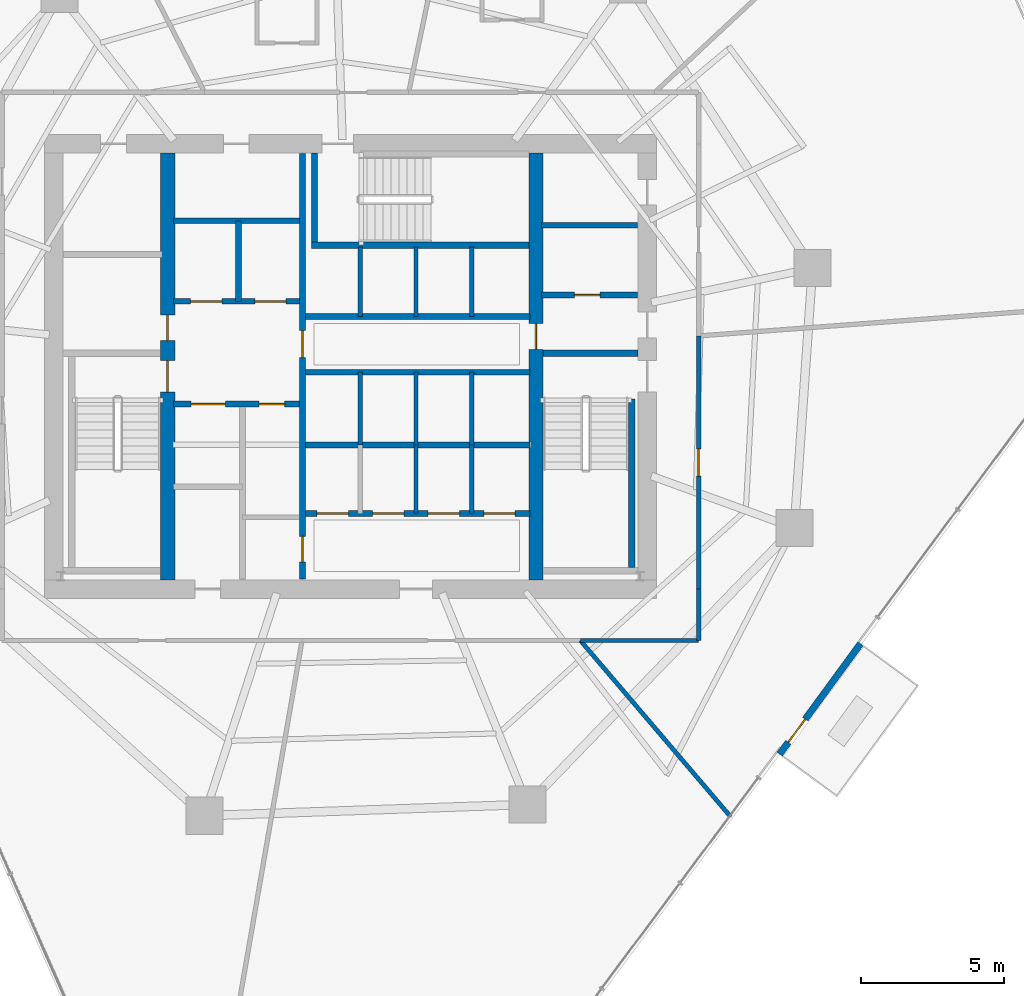
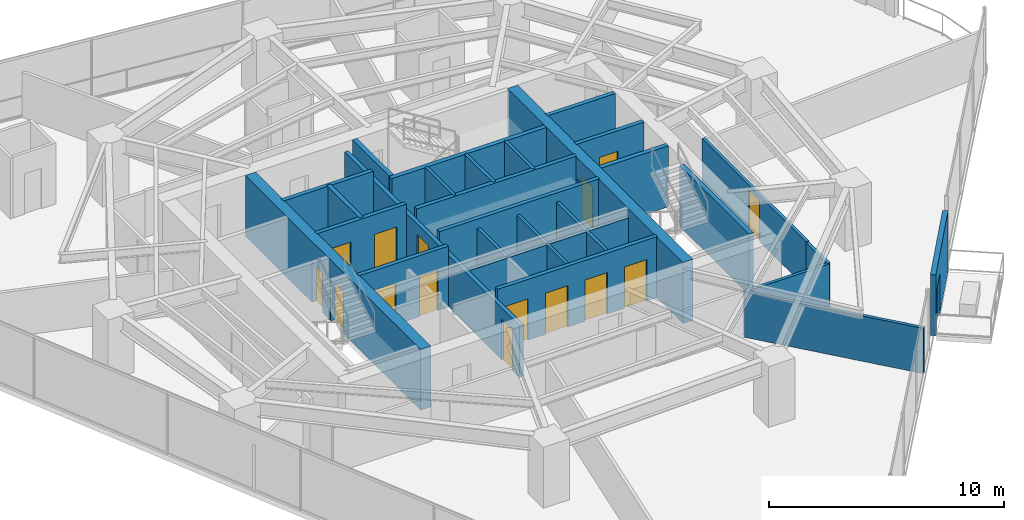
# One storey, part 24 of 28: 30 walls, 16 doors, 16 openings.
"""IFC4 building model written with IfcOpenShell, lengths in metres."""

from ifc_helpers import new_model, si_unit, direction, frame, frame_2d, origin, place, context, subcontext, project, spatial, rectangle, extrude, material, layer, layer_set, type_object, element, fill, save


model = new_model("IFC4")

# Units and contexts
model_context = context("Model", 3, precision=1e-05, world=origin(), true_north=direction((0.0, 1.0)))
body_context = subcontext(model_context, "Body", "Model", "MODEL_VIEW")
ifc_project = project(units=[si_unit("LENGTHUNIT", "METRE"), si_unit("AREAUNIT", "SQUARE_METRE"), si_unit("VOLUMEUNIT", "CUBIC_METRE"), si_unit("PLANEANGLEUNIT", "RADIAN"), si_unit("MASSUNIT", "GRAM", prefix="KILO")], contexts=[model_context])

# Site, building, storey
site_placement = place(None, origin())
site = spatial("IfcSite", under=ifc_project, at=site_placement, CompositionType="ELEMENT")
building_placement = place(site_placement, origin())
building = spatial("IfcBuilding", under=site, at=building_placement, Name="Qarnah Convention Tower", CompositionType="ELEMENT")
storey_placement = place(building_placement, frame((0.0, 0.0, 44.25)))
storey = spatial("IfcBuildingStorey", under=building, at=storey_placement, Name="L10", CompositionType="ELEMENT", Elevation=44.25)

# Wall, openings, doors
ifc_material_1 = material(Name="Concrete C60/75", Category="concrete")
ifc_layer_1 = layer(ifc_material_1, 0.5)
ifc_layer_set_1 = layer_set([ifc_layer_1], Name="Concrete C60/75")
wall_type_1 = type_object("IfcWallType", Name="WL-CORE-INT-400", PredefinedType="SHEAR", material=ifc_layer_set_1)
wall_1_placement = place(storey_placement, frame((30.800048828125, 18.925048828125, 0.0), z_axis=(0.0, 0.0, 1.0), x_axis=(0.0, 1.0, 0.0)))
wall_1 = element("IfcWall", 1, at=wall_1_placement, inside=storey, type_object=wall_type_1, Name="L10 core west spine shear wall", PredefinedType="SHEAR", context=body_context, shape_type="SweptSolid", body=[
    extrude(rectangle(XDim=14.949951171875, YDim=0.5, at=frame_2d((7.47509765625, 0.0))), origin(), (0.0, 0.0, 1.0), 3.169921875),
])
opening_1_placement = place(wall_1_placement, frame((6.574951171875, 0.0, 0.0)))
opening_1 = element("IfcOpeningElement", 2, at=opening_1_placement, cuts=wall_1, Name="Opening D-1001", PredefinedType="OPENING", context=body_context, shape_type="SweptSolid", body=[
    extrude(rectangle(XDim=1.10009765625, YDim=2.14990234375, at=frame_2d((0.550048828125, 1.074951171875))), frame((0.0, 0.260009765625, 0.0), z_axis=(0.0, -1.0, 0.0), x_axis=(1.0, 0.0, 0.0)), (0.0, 0.0, 1.0), 0.52001953125),
])
opening_2_placement = place(wall_1_placement, frame((8.375, 0.0, 0.0)))
opening_2 = element("IfcOpeningElement", 3, at=opening_2_placement, cuts=wall_1, Name="Opening D-1008", PredefinedType="OPENING", context=body_context, shape_type="SweptSolid", body=[
    extrude(rectangle(XDim=0.89990234375, YDim=2.10009765625, at=frame_2d((0.449951171875, 1.050048828125))), frame((0.0, 0.260009765625, 0.0), z_axis=(0.0, -1.0, 0.0), x_axis=(1.0, 0.0, 0.0)), (0.0, 0.0, 1.0), 0.52001953125),
])
ifc_material_2 = material(Name="Structural steel S355JR", Category="steel")
door_type_1 = type_object("IfcDoorType", Name="DT-RISER-900", OperationType="NOTDEFINED", PredefinedType="DOOR", material=ifc_material_2)
door_1_placement = place(opening_2_placement, origin())
door_1 = element("IfcDoor", 4, at=door_1_placement, inside=storey, type_object=door_type_1, Name="Door D-1008", OperationType="SINGLE_SWING_RIGHT", OverallHeight=2.10009765625, OverallWidth=0.89990234375, PredefinedType="DOOR", context=body_context, shape_type="SweptSolid", body=[
    extrude(rectangle(XDim=0.89990234375, YDim=2.10009765625, at=frame_2d((0.449951171875, 1.050048828125))), frame((0.0, 0.02490234375, 0.0), z_axis=(0.0, -1.0, 0.0), x_axis=(1.0, 0.0, 0.0)), (0.0, 0.0, 1.0), 0.050048828125),
])
fill(opening_2, door_1)
door_type_2 = type_object("IfcDoorType", Name="DT-STAIR-1100", OperationType="NOTDEFINED", PredefinedType="DOOR", material=ifc_material_2)
door_2_placement = place(opening_1_placement, origin())
door_2 = element("IfcDoor", 5, at=door_2_placement, inside=storey, type_object=door_type_2, Name="Door D-1001", OperationType="SINGLE_SWING_LEFT", OverallHeight=2.14990234375, OverallWidth=1.10009765625, PredefinedType="DOOR", context=body_context, shape_type="SweptSolid", body=[
    extrude(rectangle(XDim=1.10009765625, YDim=2.14990234375, at=frame_2d((0.550048828125, 1.074951171875))), frame((0.0, 0.02490234375, 0.0), z_axis=(0.0, -1.0, 0.0), x_axis=(1.0, 0.0, 0.0)), (0.0, 0.0, 1.0), 0.050048828125),
])
fill(opening_1, door_2)

# Wall, opening, door
wall_2_placement = place(storey_placement, frame((43.699951171875, 18.925048828125, 0.0), z_axis=(0.0, 0.0, 1.0), x_axis=(0.0, 1.0, 0.0)))
wall_2 = element("IfcWall", 6, at=wall_2_placement, inside=storey, type_object=wall_type_1, Name="L10 core east spine shear wall", PredefinedType="SHEAR", context=body_context, shape_type="SweptSolid", body=[
    extrude(rectangle(XDim=14.949951171875, YDim=0.5, at=frame_2d((7.47509765625, 0.0))), origin(), (0.0, 0.0, 1.0), 3.169921875),
])
opening_3_placement = place(wall_2_placement, frame((8.074951171875, 0.0, 0.0)))
opening_3 = element("IfcOpeningElement", 7, at=opening_3_placement, cuts=wall_2, Name="Opening D-1005", PredefinedType="OPENING", context=body_context, shape_type="SweptSolid", body=[
    extrude(rectangle(XDim=0.89990234375, YDim=2.10009765625, at=frame_2d((0.449951171875, 1.050048828125))), frame((0.0, 0.260009765625, 0.0), z_axis=(0.0, -1.0, 0.0), x_axis=(1.0, 0.0, 0.0)), (0.0, 0.0, 1.0), 0.52001953125),
])
door_3_placement = place(opening_3_placement, origin())
door_3 = element("IfcDoor", 8, at=door_3_placement, inside=storey, type_object=door_type_1, Name="Door D-1005", OperationType="SINGLE_SWING_LEFT", OverallHeight=2.10009765625, OverallWidth=0.89990234375, PredefinedType="DOOR", context=body_context, shape_type="SweptSolid", body=[
    extrude(rectangle(XDim=0.89990234375, YDim=2.10009765625, at=frame_2d((0.449951171875, 1.050048828125))), frame((0.0, 0.02490234375, 0.0), z_axis=(0.0, -1.0, 0.0), x_axis=(1.0, 0.0, 0.0)), (0.0, 0.0, 1.0), 0.050048828125),
])
fill(opening_3, door_3)

ifc_material_3 = material(Name="Concrete C45/55", Category="concrete")
ifc_layer_2 = layer(ifc_material_3, 0.199951171875)
ifc_layer_set_2 = layer_set([ifc_layer_2], Name="Concrete C45/55")
wall_type_2 = type_object("IfcWallType", Name="WL-CORE-PART-200", PredefinedType="SOLIDWALL", material=ifc_layer_set_2)
wall_3_placement = place(storey_placement, frame((43.89990234375, 28.89990234375, 0.0), z_axis=(0.0, 0.0, 1.0), x_axis=(1.0, 0.0, 0.0)))
wall_3 = element("IfcWall", 9, at=wall_3_placement, inside=storey, type_object=wall_type_2, Name="L10 interior wall IW-L10-EVSTN", PredefinedType="SOLIDWALL", context=body_context, shape_type="SweptSolid", body=[
    extrude(rectangle(XDim=3.35009765625, YDim=0.199951171875, at=frame_2d((1.675048828125, 0.0))), origin(), (0.0, 0.0, 1.0), 3.169921875),
])
opening_4_placement = place(wall_3_placement, frame((1.14990234375, 0.0, 0.0)))
opening_4 = element("IfcOpeningElement", 10, at=opening_4_placement, cuts=wall_3, Name="Opening D-1011", PredefinedType="OPENING", context=body_context, shape_type="SweptSolid", body=[
    extrude(rectangle(XDim=0.89990234375, YDim=2.10009765625, at=frame_2d((0.449951171875, 1.050048828125))), frame((0.0, 0.10986328125, 0.0), z_axis=(0.0, -1.0, 0.0), x_axis=(1.0, 0.0, 0.0)), (0.0, 0.0, 1.0), 0.219970703125),
])
door_4_placement = place(opening_4_placement, origin())
door_4 = element("IfcDoor", 11, at=door_4_placement, inside=storey, type_object=door_type_1, Name="Door D-1011", OperationType="SINGLE_SWING_LEFT", OverallHeight=2.10009765625, OverallWidth=0.89990234375, PredefinedType="DOOR", context=body_context, shape_type="SweptSolid", body=[
    extrude(rectangle(XDim=0.89990234375, YDim=2.10009765625, at=frame_2d((0.449951171875, 1.050048828125))), frame((0.0, 0.02490234375, 0.0), z_axis=(0.0, -1.0, 0.0), x_axis=(1.0, 0.0, 0.0)), (0.0, 0.0, 1.0), 0.050048828125),
])
fill(opening_4, door_4)

# Wall
wall_4_placement = place(storey_placement, frame((43.89990234375, 31.35009765625, 0.0), z_axis=(0.0, 0.0, 1.0), x_axis=(1.0, 0.0, 0.0)))
element("IfcWall", 12, at=wall_4_placement, inside=storey, type_object=wall_type_2, Name="L10 interior wall IW-L10-WTRN", PredefinedType="SOLIDWALL", context=body_context, shape_type="SweptSolid", body=[
    extrude(rectangle(XDim=3.35009765625, YDim=0.199951171875, at=frame_2d((1.675048828125, 0.0))), origin(), (0.0, 0.0, 1.0), 3.169921875),
])

# Wall, openings, doors
wall_5_placement = place(storey_placement, frame((35.52001953125, 18.949951171875, 0.0), z_axis=(0.0, 0.0, 1.0), x_axis=(0.0, 1.0, 0.0)))
wall_5 = element("IfcWall", 13, at=wall_5_placement, inside=storey, type_object=wall_type_2, Name="L10 interior wall IW-L10-CSP", PredefinedType="SOLIDWALL", context=body_context, shape_type="SweptSolid", body=[
    extrude(rectangle(XDim=14.900146484375, YDim=0.199951171875, at=frame_2d((7.4501953125, 0.0))), origin(), (0.0, 0.0, 1.0), 2.69091796875),
])
opening_5_placement = place(wall_5_placement, frame((7.7548828125, 0.0, 0.0)))
opening_5 = element("IfcOpeningElement", 14, at=opening_5_placement, cuts=wall_5, Name="Opening D-1004", PredefinedType="OPENING", context=body_context, shape_type="SweptSolid", body=[
    extrude(rectangle(XDim=0.949951171875, YDim=2.14990234375, at=frame_2d((0.47509765625, 1.074951171875))), frame((0.0, 0.10986328125, 0.0), z_axis=(0.0, -1.0, 0.0), x_axis=(1.0, 0.0, 0.0)), (0.0, 0.0, 1.0), 0.219970703125),
])
opening_6_placement = place(wall_5_placement, frame((0.60009765625, 0.0, 0.0)))
opening_6 = element("IfcOpeningElement", 15, at=opening_6_placement, cuts=wall_5, Name="Opening D-1014", PredefinedType="OPENING", context=body_context, shape_type="SweptSolid", body=[
    extrude(rectangle(XDim=0.89990234375, YDim=2.10009765625, at=frame_2d((0.449951171875, 1.050048828125))), frame((0.0, 0.10986328125, 0.0), z_axis=(0.0, -1.0, 0.0), x_axis=(1.0, 0.0, 0.0)), (0.0, 0.0, 1.0), 0.219970703125),
])
ifc_material_4 = material(Name="Oak timber veneer", Category="wood")
door_type_3 = type_object("IfcDoorType", Name="DT-HOTEL-950", OperationType="NOTDEFINED", PredefinedType="DOOR", material=ifc_material_4)
door_5_placement = place(opening_5_placement, origin())
door_5 = element("IfcDoor", 16, at=door_5_placement, inside=storey, type_object=door_type_3, Name="Door D-1004", OperationType="SINGLE_SWING_RIGHT", OverallHeight=2.14990234375, OverallWidth=0.949951171875, PredefinedType="DOOR", context=body_context, shape_type="SweptSolid", body=[
    extrude(rectangle(XDim=0.949951171875, YDim=2.14990234375, at=frame_2d((0.47509765625, 1.074951171875))), frame((0.0, 0.02490234375, 0.0), z_axis=(0.0, -1.0, 0.0), x_axis=(1.0, 0.0, 0.0)), (0.0, 0.0, 1.0), 0.050048828125),
])
fill(opening_5, door_5)
door_6_placement = place(opening_6_placement, origin())
door_6 = element("IfcDoor", 17, at=door_6_placement, inside=storey, type_object=door_type_1, Name="Door D-1014", OperationType="SINGLE_SWING_RIGHT", OverallHeight=2.10009765625, OverallWidth=0.89990234375, PredefinedType="DOOR", context=body_context, shape_type="SweptSolid", body=[
    extrude(rectangle(XDim=0.89990234375, YDim=2.10009765625, at=frame_2d((0.449951171875, 1.050048828125))), frame((0.0, 0.02490234375, 0.0), z_axis=(0.0, -1.0, 0.0), x_axis=(1.0, 0.0, 0.0)), (0.0, 0.0, 1.0), 0.050048828125),
])
fill(opening_6, door_6)

wall_6_placement = place(storey_placement, frame((31.0, 28.679931640625, 0.0), z_axis=(0.0, 0.0, 1.0), x_axis=(1.0, 0.0, 0.0)))
wall_6 = element("IfcWall", 18, at=wall_6_placement, inside=storey, type_object=wall_type_2, Name="L10 interior wall IW-L10-FFLS", PredefinedType="SOLIDWALL", context=body_context, shape_type="SweptSolid", body=[
    extrude(rectangle(XDim=4.419921875, YDim=0.199951171875, at=frame_2d((2.2099609375, 0.0))), origin(), (0.0, 0.0, 1.0), 3.169921875),
])
opening_7_placement = place(wall_6_placement, frame((0.60009765625, 0.0, 0.0)))
opening_7 = element("IfcOpeningElement", 19, at=opening_7_placement, cuts=wall_6, Name="Opening LD-1001", PredefinedType="OPENING", context=body_context, shape_type="SweptSolid", body=[
    extrude(rectangle(XDim=1.10009765625, YDim=2.14990234375, at=frame_2d((0.550048828125, 1.074951171875))), frame((0.0, 0.10986328125, 0.0), z_axis=(0.0, -1.0, 0.0), x_axis=(1.0, 0.0, 0.0)), (0.0, 0.0, 1.0), 0.219970703125),
])
opening_8_placement = place(wall_6_placement, frame((2.85009765625, 0.0, 0.0)))
opening_8 = element("IfcOpeningElement", 20, at=opening_8_placement, cuts=wall_6, Name="Opening LD-1002", PredefinedType="OPENING", context=body_context, shape_type="SweptSolid", body=[
    extrude(rectangle(XDim=1.10009765625, YDim=2.14990234375, at=frame_2d((0.550048828125, 1.074951171875))), frame((0.0, 0.10986328125, 0.0), z_axis=(0.0, -1.0, 0.0), x_axis=(1.0, 0.0, 0.0)), (0.0, 0.0, 1.0), 0.219970703125),
])
door_type_4 = type_object("IfcDoorType", Name="DT-LIFT-1100", OperationType="SLIDING_TO_LEFT", PredefinedType="DOOR", material=ifc_material_2)
door_7_placement = place(opening_7_placement, origin())
door_7 = element("IfcDoor", 21, at=door_7_placement, inside=storey, type_object=door_type_4, Name="Door LD-1001", OperationType="SLIDING_TO_LEFT", OverallHeight=2.14990234375, OverallWidth=1.10009765625, PredefinedType="DOOR", context=body_context, shape_type="SweptSolid", body=[
    extrude(rectangle(XDim=1.10009765625, YDim=2.14990234375, at=frame_2d((0.550048828125, 1.074951171875))), frame((0.0, 0.02490234375, 0.0), z_axis=(0.0, -1.0, 0.0), x_axis=(1.0, 0.0, 0.0)), (0.0, 0.0, 1.0), 0.050048828125),
])
fill(opening_7, door_7)
door_8_placement = place(opening_8_placement, origin())
door_8 = element("IfcDoor", 22, at=door_8_placement, inside=storey, type_object=door_type_4, Name="Door LD-1002", OperationType="SLIDING_TO_LEFT", OverallHeight=2.14990234375, OverallWidth=1.10009765625, PredefinedType="DOOR", context=body_context, shape_type="SweptSolid", body=[
    extrude(rectangle(XDim=1.10009765625, YDim=2.14990234375, at=frame_2d((0.550048828125, 1.074951171875))), frame((0.0, 0.02490234375, 0.0), z_axis=(0.0, -1.0, 0.0), x_axis=(1.0, 0.0, 0.0)), (0.0, 0.0, 1.0), 0.050048828125),
])
fill(opening_8, door_8)

# Walls
wall_7_placement = place(storey_placement, frame((31.0, 31.5, 0.0), z_axis=(0.0, 0.0, 1.0), x_axis=(1.0, 0.0, 0.0)))
element("IfcWall", 23, at=wall_7_placement, inside=storey, type_object=wall_type_2, Name="L10 interior wall IW-L10-FFLN", PredefinedType="SOLIDWALL", context=body_context, shape_type="SweptSolid", body=[
    extrude(rectangle(XDim=4.419921875, YDim=0.199951171875, at=frame_2d((2.2099609375, 0.0))), origin(), (0.0, 0.0, 1.0), 3.169921875),
])
wall_8_placement = place(storey_placement, frame((33.280029296875, 28.679931640625, 0.0), z_axis=(0.0, 0.0, 1.0), x_axis=(0.0, 1.0, 0.0)))
element("IfcWall", 24, at=wall_8_placement, inside=storey, type_object=wall_type_2, Name="L10 interior wall IW-L10-FFLM", PredefinedType="SOLIDWALL", context=body_context, shape_type="SweptSolid", body=[
    extrude(rectangle(XDim=2.820068359375, YDim=0.199951171875, at=frame_2d((1.41015625, 0.0))), origin(), (0.0, 0.0, 1.0), 3.169921875),
])

# Wall, openings, doors
wall_9_placement = place(storey_placement, frame((31.0, 25.080078125, 0.0), z_axis=(0.0, 0.0, 1.0), x_axis=(1.0, 0.0, 0.0)))
wall_9 = element("IfcWall", 25, at=wall_9_placement, inside=storey, type_object=wall_type_2, Name="L10 interior wall IW-L10-FFLBS", PredefinedType="SOLIDWALL", context=body_context, shape_type="SweptSolid", body=[
    extrude(rectangle(XDim=4.419921875, YDim=0.199951171875, at=frame_2d((2.2099609375, 0.0))), origin(), (0.0, 0.0, 1.0), 3.169921875),
])
opening_9_placement = place(wall_9_placement, frame((3.0, 0.0, 0.0)))
opening_9 = element("IfcOpeningElement", 26, at=opening_9_placement, cuts=wall_9, Name="Opening D-1015", PredefinedType="OPENING", context=body_context, shape_type="SweptSolid", body=[
    extrude(rectangle(XDim=0.89990234375, YDim=2.10009765625, at=frame_2d((0.449951171875, 1.050048828125))), frame((0.0, 0.10986328125, 0.0), z_axis=(0.0, -1.0, 0.0), x_axis=(1.0, 0.0, 0.0)), (0.0, 0.0, 1.0), 0.219970703125),
])
opening_10_placement = place(wall_9_placement, frame((0.6201171875, 0.0, 0.0)))
opening_10 = element("IfcOpeningElement", 27, at=opening_10_placement, cuts=wall_9, Name="Opening LD-1003", PredefinedType="OPENING", context=body_context, shape_type="SweptSolid", body=[
    extrude(rectangle(XDim=1.199951171875, YDim=2.14990234375, at=frame_2d((0.60009765625, 1.074951171875))), frame((0.0, 0.10986328125, 0.0), z_axis=(0.0, -1.0, 0.0), x_axis=(1.0, 0.0, 0.0)), (0.0, 0.0, 1.0), 0.219970703125),
])
door_type_5 = type_object("IfcDoorType", Name="DT-LIFT-1200", OperationType="SLIDING_TO_LEFT", PredefinedType="DOOR", material=ifc_material_2)
door_9_placement = place(opening_10_placement, origin())
door_9 = element("IfcDoor", 28, at=door_9_placement, inside=storey, type_object=door_type_5, Name="Door LD-1003", OperationType="SLIDING_TO_LEFT", OverallHeight=2.14990234375, OverallWidth=1.199951171875, PredefinedType="DOOR", context=body_context, shape_type="SweptSolid", body=[
    extrude(rectangle(XDim=1.199951171875, YDim=2.14990234375, at=frame_2d((0.60009765625, 1.074951171875))), frame((0.0, 0.02490234375, 0.0), z_axis=(0.0, -1.0, 0.0), x_axis=(1.0, 0.0, 0.0)), (0.0, 0.0, 1.0), 0.050048828125),
])
fill(opening_10, door_9)
door_10_placement = place(opening_9_placement, origin())
door_10 = element("IfcDoor", 29, at=door_10_placement, inside=storey, type_object=door_type_1, Name="Door D-1015", OperationType="SINGLE_SWING_LEFT", OverallHeight=2.10009765625, OverallWidth=0.89990234375, PredefinedType="DOOR", context=body_context, shape_type="SweptSolid", body=[
    extrude(rectangle(XDim=0.89990234375, YDim=2.10009765625, at=frame_2d((0.449951171875, 1.050048828125))), frame((0.0, 0.02490234375, 0.0), z_axis=(0.0, -1.0, 0.0), x_axis=(1.0, 0.0, 0.0)), (0.0, 0.0, 1.0), 0.050048828125),
])
fill(opening_9, door_10)

# Walls
for number, where, z_axis, x_axis, name in (
    (30, (35.6201171875, 28.14990234375, 0.0), (0.0, 0.0, 1.0), (1.0, 0.0, 0.0), "L10 interior wall IW-L10-PHS"),
    (31, (35.6201171875, 26.199951171875, 0.0), (0.0, 0.0, 1.0), (1.0, 0.0, 0.0), "L10 interior wall IW-L10-PMN"),
):
    element("IfcWall", number, at=place(storey_placement, frame(where, z_axis=z_axis, x_axis=x_axis)), inside=storey, type_object=wall_type_2, Name=name, PredefinedType="SOLIDWALL", context=body_context, shape_type="SweptSolid", body=[
        extrude(rectangle(XDim=7.8798828125, YDim=0.199951171875, at=frame_2d((3.93994140625, 0.0))), origin(), (0.0, 0.0, 1.0), 3.169921875),
    ])
wall_10_placement = place(storey_placement, frame((35.6201171875, 23.64990234375, 0.0), z_axis=(0.0, 0.0, 1.0), x_axis=(1.0, 0.0, 0.0)))
element("IfcWall", 32, at=wall_10_placement, inside=storey, type_object=wall_type_2, Name="L10 interior wall IW-L10-PMPL", PredefinedType="SOLIDWALL", context=body_context, shape_type="SweptSolid", body=[
    extrude(rectangle(XDim=7.8798828125, YDim=0.199951171875, at=frame_2d((3.93994140625, 0.0))), origin(), (0.0, 0.0, 1.0), 2.69091796875),
])

# Wall, openings, doors
wall_11_placement = place(storey_placement, frame((35.6201171875, 21.25, 0.0), z_axis=(0.0, 0.0, 1.0), x_axis=(1.0, 0.0, 0.0)))
wall_11 = element("IfcWall", 33, at=wall_11_placement, inside=storey, type_object=wall_type_2, Name="L10 interior wall IW-L10-PLS", PredefinedType="SOLIDWALL", context=body_context, shape_type="SweptSolid", body=[
    extrude(rectangle(XDim=7.8798828125, YDim=0.199951171875, at=frame_2d((3.93994140625, 0.0))), origin(), (0.0, 0.0, 1.0), 3.169921875),
])
opening_11_placement = place(wall_11_placement, frame((0.405029296875, 0.0, 0.0)))
opening_11 = element("IfcOpeningElement", 34, at=opening_11_placement, cuts=wall_11, Name="Opening LD-1004", PredefinedType="OPENING", context=body_context, shape_type="SweptSolid", body=[
    extrude(rectangle(XDim=1.10009765625, YDim=2.14990234375, at=frame_2d((0.550048828125, 1.074951171875))), frame((0.0, 0.10986328125, 0.0), z_axis=(0.0, -1.0, 0.0), x_axis=(1.0, 0.0, 0.0)), (0.0, 0.0, 1.0), 0.219970703125),
])
opening_12_placement = place(wall_11_placement, frame((2.35498046875, 0.0, 0.0)))
opening_12 = element("IfcOpeningElement", 35, at=opening_12_placement, cuts=wall_11, Name="Opening LD-1005", PredefinedType="OPENING", context=body_context, shape_type="SweptSolid", body=[
    extrude(rectangle(XDim=1.10009765625, YDim=2.14990234375, at=frame_2d((0.550048828125, 1.074951171875))), frame((0.0, 0.10986328125, 0.0), z_axis=(0.0, -1.0, 0.0), x_axis=(1.0, 0.0, 0.0)), (0.0, 0.0, 1.0), 0.219970703125),
])
opening_13_placement = place(wall_11_placement, frame((4.304931640625, 0.0, 0.0)))
opening_13 = element("IfcOpeningElement", 36, at=opening_13_placement, cuts=wall_11, Name="Opening LD-1006", PredefinedType="OPENING", context=body_context, shape_type="SweptSolid", body=[
    extrude(rectangle(XDim=1.10009765625, YDim=2.14990234375, at=frame_2d((0.550048828125, 1.074951171875))), frame((0.0, 0.10986328125, 0.0), z_axis=(0.0, -1.0, 0.0), x_axis=(1.0, 0.0, 0.0)), (0.0, 0.0, 1.0), 0.219970703125),
])
opening_14_placement = place(wall_11_placement, frame((6.2548828125, 0.0, 0.0)))
opening_14 = element("IfcOpeningElement", 37, at=opening_14_placement, cuts=wall_11, Name="Opening LD-1007", PredefinedType="OPENING", context=body_context, shape_type="SweptSolid", body=[
    extrude(rectangle(XDim=1.10009765625, YDim=2.14990234375, at=frame_2d((0.550048828125, 1.074951171875))), frame((0.0, 0.10986328125, 0.0), z_axis=(0.0, -1.0, 0.0), x_axis=(1.0, 0.0, 0.0)), (0.0, 0.0, 1.0), 0.219970703125),
])
door_11_placement = place(opening_11_placement, origin())
door_11 = element("IfcDoor", 38, at=door_11_placement, inside=storey, type_object=door_type_4, Name="Door LD-1004", OperationType="SLIDING_TO_LEFT", OverallHeight=2.14990234375, OverallWidth=1.10009765625, PredefinedType="DOOR", context=body_context, shape_type="SweptSolid", body=[
    extrude(rectangle(XDim=1.10009765625, YDim=2.14990234375, at=frame_2d((0.550048828125, 1.074951171875))), frame((0.0, 0.02490234375, 0.0), z_axis=(0.0, -1.0, 0.0), x_axis=(1.0, 0.0, 0.0)), (0.0, 0.0, 1.0), 0.050048828125),
])
fill(opening_11, door_11)
door_12_placement = place(opening_12_placement, origin())
door_12 = element("IfcDoor", 39, at=door_12_placement, inside=storey, type_object=door_type_4, Name="Door LD-1005", OperationType="SLIDING_TO_LEFT", OverallHeight=2.14990234375, OverallWidth=1.10009765625, PredefinedType="DOOR", context=body_context, shape_type="SweptSolid", body=[
    extrude(rectangle(XDim=1.10009765625, YDim=2.14990234375, at=frame_2d((0.550048828125, 1.074951171875))), frame((0.0, 0.02490234375, 0.0), z_axis=(0.0, -1.0, 0.0), x_axis=(1.0, 0.0, 0.0)), (0.0, 0.0, 1.0), 0.050048828125),
])
fill(opening_12, door_12)
door_13_placement = place(opening_13_placement, origin())
door_13 = element("IfcDoor", 40, at=door_13_placement, inside=storey, type_object=door_type_4, Name="Door LD-1006", OperationType="SLIDING_TO_LEFT", OverallHeight=2.14990234375, OverallWidth=1.10009765625, PredefinedType="DOOR", context=body_context, shape_type="SweptSolid", body=[
    extrude(rectangle(XDim=1.10009765625, YDim=2.14990234375, at=frame_2d((0.550048828125, 1.074951171875))), frame((0.0, 0.02490234375, 0.0), z_axis=(0.0, -1.0, 0.0), x_axis=(1.0, 0.0, 0.0)), (0.0, 0.0, 1.0), 0.050048828125),
])
fill(opening_13, door_13)
door_14_placement = place(opening_14_placement, origin())
door_14 = element("IfcDoor", 41, at=door_14_placement, inside=storey, type_object=door_type_4, Name="Door LD-1007", OperationType="SLIDING_TO_LEFT", OverallHeight=2.14990234375, OverallWidth=1.10009765625, PredefinedType="DOOR", context=body_context, shape_type="SweptSolid", body=[
    extrude(rectangle(XDim=1.10009765625, YDim=2.14990234375, at=frame_2d((0.550048828125, 1.074951171875))), frame((0.0, 0.02490234375, 0.0), z_axis=(0.0, -1.0, 0.0), x_axis=(1.0, 0.0, 0.0)), (0.0, 0.0, 1.0), 0.050048828125),
])
fill(opening_14, door_14)

# Walls
ifc_layer_3 = layer(ifc_material_1, 0.219970703125)
ifc_layer_set_3 = layer_set([ifc_layer_3], Name="Concrete C60/75")
wall_type_3 = type_object("IfcWallType", Name="WL-CORE-STAIR-220", PredefinedType="SHEAR", material=ifc_layer_set_3)
wall_12_placement = place(storey_placement, frame((43.949951171875, 26.860107421875, 0.0), z_axis=(0.0, 0.0, 1.0), x_axis=(1.0, 0.0, 0.0)))
element("IfcWall", 42, at=wall_12_placement, inside=storey, type_object=wall_type_3, Name="L10 stair shaft shear wall SW-L10-ST2N", PredefinedType="SHEAR", context=body_context, shape_type="SweptSolid", body=[
    extrude(rectangle(XDim=3.324951171875, YDim=0.219970703125, at=frame_2d((1.66259765625, 0.0))), origin(), (0.0, 0.0, 1.0), 3.169921875),
])
wall_13_placement = place(storey_placement, frame((47.06005859375, 19.35009765625, 0.0), z_axis=(0.0, 0.0, 1.0), x_axis=(0.0, 1.0, 0.0)))
element("IfcWall", 43, at=wall_13_placement, inside=storey, type_object=wall_type_3, Name="L10 stair shaft shear wall SW-L10-ST2E", PredefinedType="SHEAR", context=body_context, shape_type="SweptSolid", body=[
    extrude(rectangle(XDim=5.89990234375, YDim=0.219970703125, at=frame_2d((2.949951171875, 0.0))), origin(), (0.0, 0.0, 1.0), 3.169921875),
])
wall_14_placement = place(storey_placement, frame((35.840087890625, 30.639892578125, 0.0), z_axis=(0.0, 0.0, 1.0), x_axis=(1.0, 0.0, 0.0)))
element("IfcWall", 44, at=wall_14_placement, inside=storey, type_object=wall_type_3, Name="L10 stair shaft shear wall SW-L10-ST3S", PredefinedType="SHEAR", context=body_context, shape_type="SweptSolid", body=[
    extrude(rectangle(XDim=7.60986328125, YDim=0.219970703125, at=frame_2d((3.804931640625, 0.0))), origin(), (0.0, 0.0, 1.0), 3.169921875),
])
wall_15_placement = place(storey_placement, frame((35.93994140625, 30.75, 0.0), z_axis=(0.0, 0.0, 1.0), x_axis=(0.0, 1.0, 0.0)))
element("IfcWall", 45, at=wall_15_placement, inside=storey, type_object=wall_type_3, Name="L10 stair shaft shear wall SW-L10-ST3W", PredefinedType="SHEAR", context=body_context, shape_type="SweptSolid", body=[
    extrude(rectangle(XDim=3.125, YDim=0.219970703125, at=frame_2d((1.5625, 0.0))), origin(), (0.0, 0.0, 1.0), 3.169921875),
])

# Wall, opening, door
ifc_material_5 = material(Name="Precast concrete C45/55", Category="concrete")
ifc_layer_4 = layer(ifc_material_5, 0.239990234375)
ifc_layer_set_4 = layer_set([ifc_layer_4], Name="Precast concrete C45/55")
wall_type_4 = type_object("IfcWallType", Name="WL-EXT-BAL-240", PredefinedType="SOLIDWALL", material=ifc_layer_set_4)
wall_16_placement = place(storey_placement, frame((55.075927734375, 16.68505859375, 0.0), z_axis=(0.0, 0.0, 1.0), x_axis=(-0.591143170138, -0.806566644735, 0.0)))
wall_16 = element("IfcWall", 46, at=wall_16_placement, inside=storey, type_object=wall_type_4, Name="L10 loggia threshold wall VN-L10", PredefinedType="SOLIDWALL", context=body_context, shape_type="SweptSolid", body=[
    extrude(rectangle(XDim=4.80078125, YDim=0.239990234375, at=frame_2d((2.400390625, 0.0))), origin(), (0.0, 0.0, 1.0), 3.169921875),
])
opening_15_placement = place(wall_16_placement, frame((3.281005859375, 0.0, 0.0)))
opening_15 = element("IfcOpeningElement", 47, at=opening_15_placement, cuts=wall_16, Name="Opening BD-1003", PredefinedType="OPENING", context=body_context, shape_type="SweptSolid", body=[
    extrude(rectangle(XDim=1.0, YDim=2.14990234375, at=frame_2d((0.5, 1.074951171875))), frame((0.0, 0.1298828125, 0.0), z_axis=(0.0, -1.0, 0.0), x_axis=(1.0, 0.0, 0.0)), (0.0, 0.0, 1.0), 0.260009765625),
])
ifc_material_6 = material(Name="Black anodised aluminium", Category="aluminium")
door_type_6 = type_object("IfcDoorType", Name="DT-BAL-1000", OperationType="NOTDEFINED", PredefinedType="DOOR", material=ifc_material_6)
door_15_placement = place(opening_15_placement, origin())
door_15 = element("IfcDoor", 48, at=door_15_placement, inside=storey, type_object=door_type_6, Name="L10 balcony terrace door VN-L10", OperationType="SINGLE_SWING_RIGHT", OverallHeight=2.14990234375, OverallWidth=1.0, PredefinedType="DOOR", context=body_context, shape_type="SweptSolid", body=[
    extrude(rectangle(XDim=1.0, YDim=2.14990234375, at=frame_2d((0.5, 1.074951171875))), frame((0.0, 0.02490234375, 0.0), z_axis=(0.0, -1.0, 0.0), x_axis=(1.0, 0.0, 0.0)), (0.0, 0.0, 1.0), 0.050048828125),
])
fill(opening_15, door_15)

# Walls
ifc_material_7 = material(Name="Gypsum partition board")
ifc_layer_5 = layer(ifc_material_7, 0.14990234375)
ifc_layer_set_5 = layer_set([ifc_layer_5], Name="Gypsum partition board")
wall_type_5 = type_object("IfcWallType", Name="WL-SUITE-150", PredefinedType="PARTITIONING", material=ifc_layer_set_5)
for number, where, z_axis, x_axis, name in (
    (49, (37.550048828125, 28.14990234375, 0.0), (0.0, 0.0, 1.0), (0.0, 1.0, 0.0), "L10 interior wall IW-L10-PHD1"),
    (50, (39.5, 28.14990234375, 0.0), (0.0, 0.0, 1.0), (0.0, 1.0, 0.0), "L10 interior wall IW-L10-PHD2"),
    (51, (41.449951171875, 28.14990234375, 0.0), (0.0, 0.0, 1.0), (0.0, 1.0, 0.0), "L10 interior wall IW-L10-PHD3"),
):
    element("IfcWall", number, at=place(storey_placement, frame(where, z_axis=z_axis, x_axis=x_axis)), inside=storey, type_object=wall_type_5, Name=name, PredefinedType="PARTITIONING", context=body_context, shape_type="SweptSolid", body=[
        extrude(rectangle(XDim=2.43017578125, YDim=0.14990234375, at=frame_2d((1.215087890625, 0.0))), origin(), (0.0, 0.0, 1.0), 3.169921875),
    ])
for number, where, z_axis, x_axis, name in (
    (52, (37.550048828125, 23.64990234375, 0.0), (0.0, 0.0, 1.0), (0.0, 1.0, 0.0), "L10 interior wall IW-L10-PMD1"),
    (53, (39.5, 23.64990234375, 0.0), (0.0, 0.0, 1.0), (0.0, 1.0, 0.0), "L10 interior wall IW-L10-PMD2"),
    (54, (41.449951171875, 23.64990234375, 0.0), (0.0, 0.0, 1.0), (0.0, 1.0, 0.0), "L10 interior wall IW-L10-PMD3"),
):
    element("IfcWall", number, at=place(storey_placement, frame(where, z_axis=z_axis, x_axis=x_axis)), inside=storey, type_object=wall_type_5, Name=name, PredefinedType="PARTITIONING", context=body_context, shape_type="SweptSolid", body=[
        extrude(rectangle(XDim=2.550048828125, YDim=0.14990234375, at=frame_2d((1.27490234375, 0.0))), origin(), (0.0, 0.0, 1.0), 2.69091796875),
    ])
for number, where, z_axis, x_axis, name in (
    (55, (39.5, 21.25, 0.0), (0.0, 0.0, 1.0), (0.0, 1.0, 0.0), "L10 interior wall IW-L10-PLD2"),
    (56, (41.449951171875, 21.25, 0.0), (0.0, 0.0, 1.0), (0.0, 1.0, 0.0), "L10 interior wall IW-L10-PLD3"),
):
    element("IfcWall", number, at=place(storey_placement, frame(where, z_axis=z_axis, x_axis=x_axis)), inside=storey, type_object=wall_type_5, Name=name, PredefinedType="PARTITIONING", context=body_context, shape_type="SweptSolid", body=[
        extrude(rectangle(XDim=2.39990234375, YDim=0.14990234375, at=frame_2d((1.199951171875, 0.0))), origin(), (0.0, 0.0, 1.0), 2.69091796875),
    ])
wall_17_placement = place(storey_placement, frame((50.52392578125, 10.62109375, 0.0), z_axis=(0.0, 0.0, 1.0), x_axis=(-0.648858048344, 0.760909477599, 0.0)))
element("IfcWall", 57, at=wall_17_placement, inside=storey, type_object=wall_type_5, Name="L10 interior wall IW-L10-R-32", PredefinedType="PARTITIONING", context=body_context, shape_type="SweptSolid", body=[
    extrude(rectangle(XDim=8.12060546875, YDim=0.14990234375, at=frame_2d((4.060302734375, 0.0))), origin(), (0.0, 0.0, 1.0), 2.35498046875),
])

# Wall, opening, door
wall_18_placement = place(storey_placement, frame((49.39990234375, 27.467041015625, 0.0), z_axis=(0.0, 0.0, 1.0), x_axis=(0.0, -1.0, 0.0)))
wall_18 = element("IfcWall", 58, at=wall_18_placement, inside=storey, type_object=wall_type_5, Name="L10 interior wall IW-L10-R-34", PredefinedType="PARTITIONING", context=body_context, shape_type="SweptSolid", body=[
    extrude(rectangle(XDim=8.866943359375, YDim=0.14990234375, at=frame_2d((4.43359375, 0.0))), origin(), (0.0, 0.0, 1.0), 2.39501953125),
])
opening_16_placement = place(wall_18_placement, frame((3.9580078125, 0.0, 0.0)))
opening_16 = element("IfcOpeningElement", 59, at=opening_16_placement, cuts=wall_18, Name="Opening D-1026", PredefinedType="OPENING", context=body_context, shape_type="SweptSolid", body=[
    extrude(rectangle(XDim=0.949951171875, YDim=2.14990234375, at=frame_2d((0.47509765625, 1.074951171875))), frame((0.0, 0.0849609375, 0.0), z_axis=(0.0, -1.0, 0.0), x_axis=(1.0, 0.0, 0.0)), (0.0, 0.0, 1.0), 0.169921875),
])
door_16_placement = place(opening_16_placement, origin())
door_16 = element("IfcDoor", 60, at=door_16_placement, inside=storey, type_object=door_type_3, Name="Door D-1026", OperationType="SINGLE_SWING_RIGHT", OverallHeight=2.14990234375, OverallWidth=0.949951171875, PredefinedType="DOOR", context=body_context, shape_type="SweptSolid", body=[
    extrude(rectangle(XDim=0.949951171875, YDim=2.14990234375, at=frame_2d((0.47509765625, 1.074951171875))), frame((0.0, 0.02490234375, 0.0), z_axis=(0.0, -1.0, 0.0), x_axis=(1.0, 0.0, 0.0)), (0.0, 0.0, 1.0), 0.050048828125),
])
fill(opening_16, door_16)

# Walls
wall_19_placement = place(storey_placement, frame((49.39990234375, 18.60009765625, 0.0), z_axis=(0.0, 0.0, 1.0), x_axis=(0.0, -1.0, 0.0)))
element("IfcWall", 61, at=wall_19_placement, inside=storey, type_object=wall_type_5, Name="L10 interior wall IW-L10-R-35", PredefinedType="PARTITIONING", context=body_context, shape_type="SweptSolid", body=[
    extrude(rectangle(XDim=1.800048828125, YDim=0.14990234375, at=frame_2d((0.89990234375, 0.0))), origin(), (0.0, 0.0, 1.0), 2.35498046875),
])
wall_20_placement = place(storey_placement, frame((49.39990234375, 16.800048828125, 0.0), z_axis=(0.0, 0.0, 1.0), x_axis=(-1.0, 0.0, 0.0)))
element("IfcWall", 62, at=wall_20_placement, inside=storey, type_object=wall_type_5, Name="L10 interior wall IW-L10-R-36", PredefinedType="PARTITIONING", context=body_context, shape_type="SweptSolid", body=[
    extrude(rectangle(XDim=4.14501953125, YDim=0.14990234375, at=frame_2d((2.072509765625, 0.0))), origin(), (0.0, 0.0, 1.0), 2.35498046875),
])

save(model, "model.ifc")
